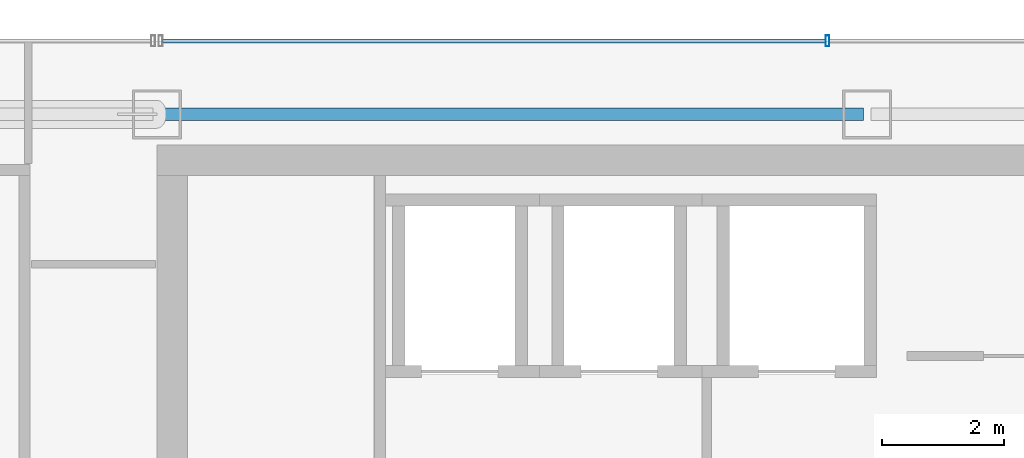
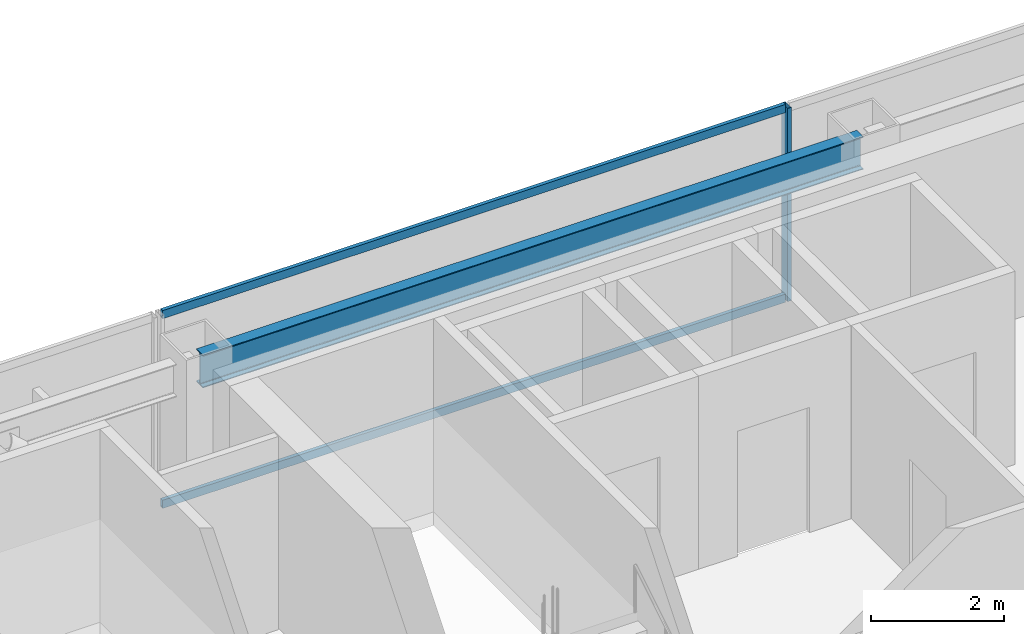
# One storey, part 24 of 36: 3 members, 1 beam, 1 element without a shape of its own.
"""IFC4 building model written with IfcOpenShell, lengths in metres."""

from ifc_helpers import new_model, si_unit, direction, frame, origin, origin_2d, place, context, subcontext, project, spatial, hollow_rectangle, i_section, extrude, material, material_profile, profile_set, type_object, element, aggregate, save


model = new_model("IFC4")

# Units and contexts
model_context = context("Model", 3, precision=1e-05, world=origin(), true_north=direction((0.0, 1.0)))
body_context = subcontext(model_context, "Body", "Model", "MODEL_VIEW")
ifc_project = project(units=[si_unit("LENGTHUNIT", "METRE"), si_unit("AREAUNIT", "SQUARE_METRE"), si_unit("VOLUMEUNIT", "CUBIC_METRE"), si_unit("PLANEANGLEUNIT", "RADIAN"), si_unit("MASSUNIT", "GRAM", prefix="KILO")], contexts=[model_context])

# Site, building, storey
site_placement = place(None, origin())
site = spatial("IfcSite", under=ifc_project, at=site_placement, CompositionType="ELEMENT")
building_placement = place(site_placement, origin())
building = spatial("IfcBuilding", under=site, at=building_placement, Name="Saevonmaru Cultural Tower", CompositionType="ELEMENT")
storey_placement = place(building_placement, frame((0.0, 0.0, 186.60009765625)))
storey = spatial("IfcBuildingStorey", under=building, at=storey_placement, Name="L42", CompositionType="ELEMENT", Elevation=186.60009765625)

# Beam
ifc_material_1 = material(Name="Steel SM355", Category="steel")
ifc_material_profile_1 = material_profile(ifc_material_1, i_section(OverallWidth=0.199951171875, OverallDepth=0.60009765625, WebThickness=0.010986328125, FlangeThickness=0.01708984375, FilletRadius=0.02197265625, at=origin_2d()), Name="H-600x200x11x17")
ifc_profile_set_1 = profile_set([ifc_material_profile_1], Name="Steel SM355")
beam_type = type_object("IfcBeamType", Name="BM-SP-H600", PredefinedType="SPANDREL", material=ifc_profile_set_1)
beam_placement = place(storey_placement, frame((13.659912109375, 54.800048828125, 3.25), z_axis=(1.0, 0.0, 0.0), x_axis=(0.0, 1.0, 0.0)))
element("IfcBeam", 1, at=beam_placement, inside=storey, type_object=beam_type, Name="L42 North Spine Girder 2", PredefinedType="SPANDREL", context=body_context, shape_type="SweptSolid", body=[
    extrude(i_section(OverallWidth=0.199951171875, OverallDepth=0.60009765625, WebThickness=0.010986328125, FlangeThickness=0.01708984375, FilletRadius=0.02197265625, at=origin_2d()), origin(), (0.0, 0.0, 1.0), 11.47998046875),
])

# Curtain wall, members
ifc_material_2 = material(Name="Satin Bronze Anodised Aluminium", Category="aluminium")
curtain_wall_type = type_object("IfcCurtainWallType", Name="CW-TYP-B", PredefinedType="NOTDEFINED", material=ifc_material_2)
curtain_wall_placement = place(storey_placement, origin())
curtain_wall = element("IfcCurtainWall", 2, at=curtain_wall_placement, inside=storey, type_object=curtain_wall_type, Name="L42 North Spine Unitised Curtain Wall E10B", PredefinedType="NOTDEFINED")
ifc_material_profile_2 = material_profile(ifc_material_2, hollow_rectangle(XDim=0.06494140625, YDim=0.179931640625, WallThickness=0.00390625, at=origin_2d()), Name="ALU-MULL-180x65x4")
ifc_profile_set_2 = profile_set([ifc_material_profile_2], Name="Satin Bronze Anodised Aluminium")
member_type_1 = type_object("IfcMemberType", Name="ML-CW-180x65", PredefinedType="MULLION", material=ifc_profile_set_2)
member_1_placement = place(storey_placement, frame((24.55322265625, 56.0, 0.0), z_axis=(0.0, 0.0, 1.0), x_axis=(-1.0, 0.0, 0.0)))
member_1 = element("IfcMember", 3, at=member_1_placement, type_object=member_type_1, Name="CW-TW-L42-E10B mullion 3", PredefinedType="MULLION", context=body_context, shape_type="SweptSolid", body=[
    extrude(hollow_rectangle(XDim=0.06494140625, YDim=0.179931640625, WallThickness=0.00390625, at=origin_2d()), origin(), (0.0, 0.0, 1.0), 3.5498046875),
])
ifc_material_profile_3 = material_profile(ifc_material_2, hollow_rectangle(XDim=0.06494140625, YDim=0.14990234375, WallThickness=0.00390625, at=origin_2d()), Name="ALU-TRAN-150x65x4")
ifc_profile_set_3 = profile_set([ifc_material_profile_3], Name="Satin Bronze Anodised Aluminium")
member_type_2 = type_object("IfcMemberType", Name="TR-CW-150x65", PredefinedType="USERDEFINED", material=ifc_profile_set_3)
member_2_placement = place(storey_placement, frame((24.520751953125, 56.0, 0.032470703125), z_axis=(-1.0, 0.0, 0.0), x_axis=(0.0, -1.0, 0.0)))
member_2 = element("IfcMember", 4, at=member_2_placement, type_object=member_type_2, Name="CW-TW-L42-E10B transom 3.1", ObjectType="TRANSOM", PredefinedType="USERDEFINED", context=body_context, shape_type="SweptSolid", body=[
    extrude(hollow_rectangle(XDim=0.06494140625, YDim=0.14990234375, WallThickness=0.00390625, at=origin_2d()), origin(), (0.0, 0.0, 1.0), 10.828369140625),
])
member_3_placement = place(storey_placement, frame((24.520751953125, 56.0, 3.517333984375), z_axis=(-1.0, 0.0, 0.0), x_axis=(0.0, -1.0, 0.0)))
member_3 = element("IfcMember", 5, at=member_3_placement, type_object=member_type_2, Name="CW-TW-L42-E10B transom 3.2", ObjectType="TRANSOM", PredefinedType="USERDEFINED", context=body_context, shape_type="SweptSolid", body=[
    extrude(hollow_rectangle(XDim=0.06494140625, YDim=0.14990234375, WallThickness=0.00390625, at=origin_2d()), origin(), (0.0, 0.0, 1.0), 10.828369140625),
])
aggregate(curtain_wall, [member_1, member_2, member_3])

save(model, "model.ifc")
